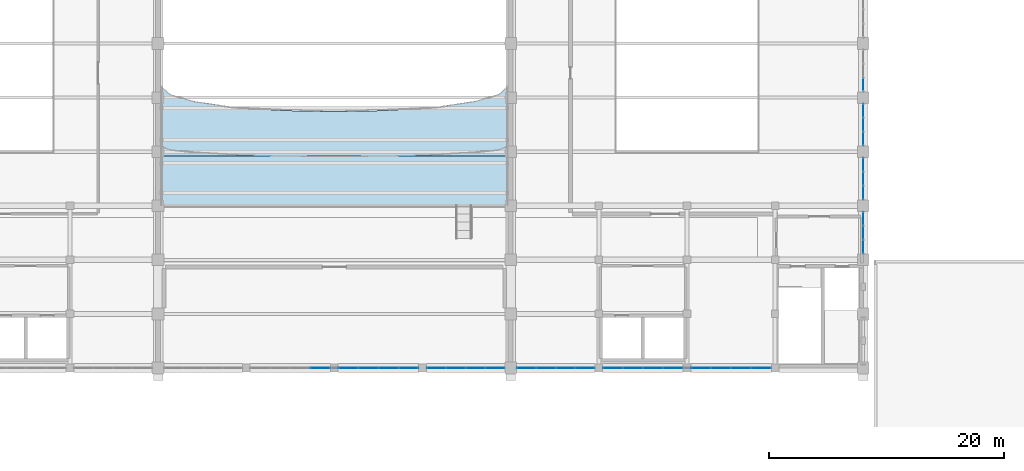
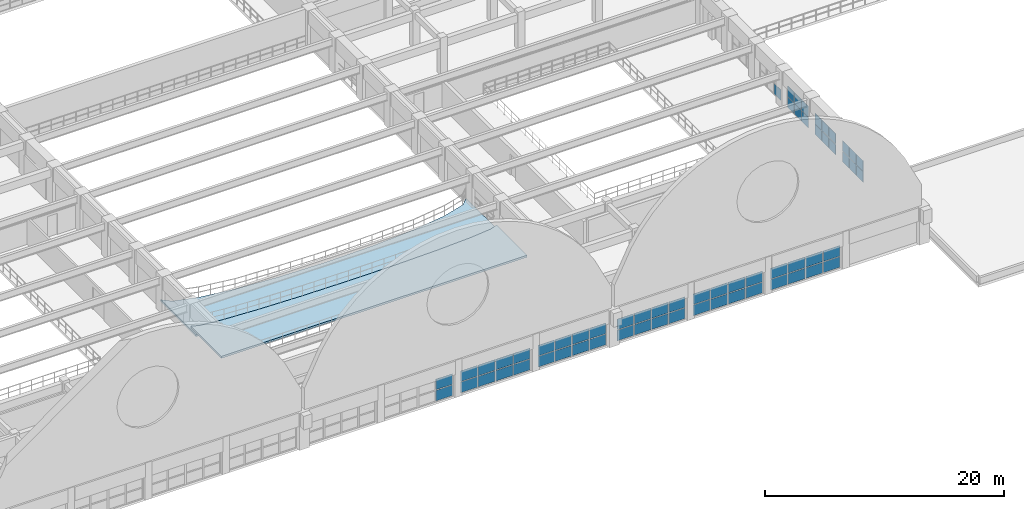
# One storey, part 43 of 74: 61 plates, 2 slabs, 10 elements without a shape of their own.
"""IFC4 building model written with IfcOpenShell, lengths in metres."""

from ifc_helpers import new_model, si_unit, direction, frame, origin, origin_2d, place, context, subcontext, project, spatial, polyline, rectangle, outline, extrude, material, layer, layer_set, type_object, element, aggregate, save


model = new_model("IFC4")

# Units and contexts
model_context = context("Model", 3, precision=1e-05, world=origin(), true_north=direction((0.0, 1.0)))
body_context = subcontext(model_context, "Body", "Model", "MODEL_VIEW")
ifc_project = project(units=[si_unit("LENGTHUNIT", "METRE"), si_unit("AREAUNIT", "SQUARE_METRE"), si_unit("VOLUMEUNIT", "CUBIC_METRE"), si_unit("PLANEANGLEUNIT", "RADIAN"), si_unit("MASSUNIT", "GRAM", prefix="KILO")], contexts=[model_context])

# Site, building, storey
site_placement = place(None, origin())
site = spatial("IfcSite", under=ifc_project, at=site_placement, CompositionType="ELEMENT")
building_placement = place(site_placement, origin())
building = spatial("IfcBuilding", under=site, at=building_placement, Name="Muzn Square Opera House", CompositionType="ELEMENT")
storey_placement = place(building_placement, frame((0.0, 0.0, 14.199951171875)))
storey = spatial("IfcBuildingStorey", under=building, at=storey_placement, Name="L03", CompositionType="ELEMENT", Elevation=14.199951171875)

# Slabs
ifc_material_1 = material(Name="Concrete C40/50", Category="concrete")
ifc_layer_1 = layer(ifc_material_1, 0.199951171875, Name="Concrete C40/50", Category="concrete")
ifc_layer_set_1 = layer_set([ifc_layer_1], Name="Concrete C40/50")
slab_type = type_object("IfcSlabType", Name="Auditorium Seating Tier 200mm", PredefinedType="USERDEFINED", material=ifc_layer_set_1)
slab_1_placement = place(storey_placement, frame((0.0, 0.0, 0.52001953125)))
element("IfcSlab", 1, at=slab_1_placement, inside=storey, type_object=slab_type, Name="Opera Hall Amphitheatre Circle Seating Tier 1", ObjectType="SEATING TIER", PredefinedType="USERDEFINED", context=body_context, shape_type="SweptSolid", body=[
    extrude(outline(polyline([(73.2099609375, 35.800048828125), (102.7900390625, 35.800048828125), (102.7900390625, 40.89990234375), (102.066162109375, 40.63720703125), (99.96533203125, 40.400390625), (96.693359375, 40.21240234375), (92.5703125, 40.091552734375), (88.0, 40.050048828125), (83.4296875, 40.091552734375), (79.306640625, 40.21240234375), (76.03466796875, 40.400390625), (73.933837890625, 40.63720703125), (73.2099609375, 40.89990234375), (73.2099609375, 35.800048828125)])), origin(), (0.0, 0.0, 1.0), 0.199951171875),
])
slab_2_placement = place(storey_placement, frame((0.0, 0.0, 0.16015625)))
element("IfcSlab", 2, at=slab_2_placement, inside=storey, type_object=slab_type, Name="Opera Hall Amphitheatre Circle Seating Tier 2", ObjectType="SEATING TIER", PredefinedType="USERDEFINED", context=body_context, shape_type="SweptSolid", body=[
    extrude(outline(polyline([(73.2099609375, 40.050048828125), (102.7900390625, 40.050048828125), (102.7900390625, 46.0), (102.066162109375, 45.3203125), (99.96533203125, 44.706787109375), (96.693359375, 44.22021484375), (92.5703125, 43.90771484375), (88.0, 43.800048828125), (83.4296875, 43.90771484375), (79.306640625, 44.22021484375), (76.03466796875, 44.706787109375), (73.933837890625, 45.3203125), (73.2099609375, 46.0), (73.2099609375, 40.050048828125)])), origin(), (0.0, 0.0, 1.0), 0.199951171875),
])

# Curtain wall, plates
ifc_material_2 = material(Name="Low-E laminated acoustic double glazing", Category="glass")
ifc_layer_2 = layer(ifc_material_2, 0.159912109375, Name="Low-E laminated acoustic double glazing", Category="glass")
ifc_layer_set_2 = layer_set([ifc_layer_2], Name="Low-E laminated acoustic double glazing")
curtain_wall_type_1 = type_object("IfcCurtainWallType", Name="Glazed Curtain Wall Forecourt 6850x2350", PredefinedType="USERDEFINED", material=ifc_layer_set_2)
curtain_wall_1_placement = place(storey_placement, origin())
curtain_wall_1 = element("IfcCurtainWall", 3, at=curtain_wall_1_placement, inside=storey, type_object=curtain_wall_type_1, Name="Glazed Curtain Wall CW-L03-023", ObjectType="GLAZED CURTAIN WALL", PredefinedType="USERDEFINED")
ifc_layer_3 = layer(ifc_material_2, 0.028076171875, Name="Low-E laminated acoustic double glazing", Category="glass")
ifc_layer_set_3 = layer_set([ifc_layer_3], Name="Low-E laminated acoustic double glazing")
plate_type = type_object("IfcPlateType", Name="Curtain Wall Acoustic Glazed Panel 28mm", PredefinedType="CURTAIN_PANEL", material=ifc_layer_set_3)
plate_1_placement = place(storey_placement, frame((86.8037109375, 22.0, 0.06005859375), z_axis=(0.0, 0.0, 1.0), x_axis=(1.0, 0.0, 0.0)))
plate_1 = element("IfcPlate", 4, at=plate_1_placement, type_object=plate_type, Name="CW-FC-68x23 panel 4.1", PredefinedType="CURTAIN_PANEL", context=body_context, shape_type="SweptSolid", body=[
    extrude(rectangle(XDim=1.62255859375, YDim=0.028076171875, at=origin_2d()), origin(), (0.0, 0.0, 1.0), 1.0849609375),
])
plate_2_placement = place(storey_placement, frame((86.8037109375, 22.0, 1.205078125), z_axis=(0.0, 0.0, 1.0), x_axis=(1.0, 0.0, 0.0)))
plate_2 = element("IfcPlate", 5, at=plate_2_placement, type_object=plate_type, Name="CW-FC-68x23 panel 4.2", PredefinedType="CURTAIN_PANEL", context=body_context, shape_type="SweptSolid", body=[
    extrude(rectangle(XDim=1.62255859375, YDim=0.028076171875, at=origin_2d()), origin(), (0.0, 0.0, 1.0), 1.0849609375),
])
aggregate(curtain_wall_1, [plate_1, plate_2])

curtain_wall_2_placement = place(storey_placement, origin())
curtain_wall_2 = element("IfcCurtainWall", 6, at=curtain_wall_2_placement, inside=storey, type_object=curtain_wall_type_1, Name="Glazed Curtain Wall CW-L03-024", ObjectType="GLAZED CURTAIN WALL", PredefinedType="USERDEFINED")
plate_3_placement = place(storey_placement, frame((89.1962890625, 22.0, 0.06005859375), z_axis=(0.0, 0.0, 1.0), x_axis=(1.0, 0.0, 0.0)))
plate_3 = element("IfcPlate", 7, at=plate_3_placement, type_object=plate_type, Name="CW-FC-68x23 panel 1.1", PredefinedType="CURTAIN_PANEL", context=body_context, shape_type="SweptSolid", body=[
    extrude(rectangle(XDim=1.62255859375, YDim=0.028076171875, at=origin_2d()), origin(), (0.0, 0.0, 1.0), 1.0849609375),
])
plate_4_placement = place(storey_placement, frame((89.1962890625, 22.0, 1.205078125), z_axis=(0.0, 0.0, 1.0), x_axis=(1.0, 0.0, 0.0)))
plate_4 = element("IfcPlate", 8, at=plate_4_placement, type_object=plate_type, Name="CW-FC-68x23 panel 1.2", PredefinedType="CURTAIN_PANEL", context=body_context, shape_type="SweptSolid", body=[
    extrude(rectangle(XDim=1.62255859375, YDim=0.028076171875, at=origin_2d()), origin(), (0.0, 0.0, 1.0), 1.0849609375),
])
plate_5_placement = place(storey_placement, frame((90.893798828125, 22.0, 0.06005859375), z_axis=(0.0, 0.0, 1.0), x_axis=(1.0, 0.0, 0.0)))
plate_5 = element("IfcPlate", 9, at=plate_5_placement, type_object=plate_type, Name="CW-FC-68x23 panel 2.1", PredefinedType="CURTAIN_PANEL", context=body_context, shape_type="SweptSolid", body=[
    extrude(rectangle(XDim=1.652587890625, YDim=0.028076171875, at=origin_2d()), origin(), (0.0, 0.0, 1.0), 1.0849609375),
])
plate_6_placement = place(storey_placement, frame((90.893798828125, 22.0, 1.205078125), z_axis=(0.0, 0.0, 1.0), x_axis=(1.0, 0.0, 0.0)))
plate_6 = element("IfcPlate", 10, at=plate_6_placement, type_object=plate_type, Name="CW-FC-68x23 panel 2.2", PredefinedType="CURTAIN_PANEL", context=body_context, shape_type="SweptSolid", body=[
    extrude(rectangle(XDim=1.652587890625, YDim=0.028076171875, at=origin_2d()), origin(), (0.0, 0.0, 1.0), 1.0849609375),
])
plate_7_placement = place(storey_placement, frame((92.606201171875, 22.0, 0.06005859375), z_axis=(0.0, 0.0, 1.0), x_axis=(1.0, 0.0, 0.0)))
plate_7 = element("IfcPlate", 11, at=plate_7_placement, type_object=plate_type, Name="CW-FC-68x23 panel 3.1", PredefinedType="CURTAIN_PANEL", context=body_context, shape_type="SweptSolid", body=[
    extrude(rectangle(XDim=1.652587890625, YDim=0.028076171875, at=origin_2d()), origin(), (0.0, 0.0, 1.0), 1.0849609375),
])
plate_8_placement = place(storey_placement, frame((92.606201171875, 22.0, 1.205078125), z_axis=(0.0, 0.0, 1.0), x_axis=(1.0, 0.0, 0.0)))
plate_8 = element("IfcPlate", 12, at=plate_8_placement, type_object=plate_type, Name="CW-FC-68x23 panel 3.2", PredefinedType="CURTAIN_PANEL", context=body_context, shape_type="SweptSolid", body=[
    extrude(rectangle(XDim=1.652587890625, YDim=0.028076171875, at=origin_2d()), origin(), (0.0, 0.0, 1.0), 1.0849609375),
])
plate_9_placement = place(storey_placement, frame((94.3037109375, 22.0, 0.06005859375), z_axis=(0.0, 0.0, 1.0), x_axis=(1.0, 0.0, 0.0)))
plate_9 = element("IfcPlate", 13, at=plate_9_placement, type_object=plate_type, Name="CW-FC-68x23 panel 4.1", PredefinedType="CURTAIN_PANEL", context=body_context, shape_type="SweptSolid", body=[
    extrude(rectangle(XDim=1.62255859375, YDim=0.028076171875, at=origin_2d()), origin(), (0.0, 0.0, 1.0), 1.0849609375),
])
plate_10_placement = place(storey_placement, frame((94.3037109375, 22.0, 1.205078125), z_axis=(0.0, 0.0, 1.0), x_axis=(1.0, 0.0, 0.0)))
plate_10 = element("IfcPlate", 14, at=plate_10_placement, type_object=plate_type, Name="CW-FC-68x23 panel 4.2", PredefinedType="CURTAIN_PANEL", context=body_context, shape_type="SweptSolid", body=[
    extrude(rectangle(XDim=1.62255859375, YDim=0.028076171875, at=origin_2d()), origin(), (0.0, 0.0, 1.0), 1.0849609375),
])
aggregate(curtain_wall_2, [plate_3, plate_4, plate_5, plate_6, plate_7, plate_8, plate_9, plate_10])

ifc_layer_4 = layer(ifc_material_2, 0.159912109375, Name="Low-E laminated acoustic double glazing", Category="glass")
ifc_layer_set_4 = layer_set([ifc_layer_4], Name="Low-E laminated acoustic double glazing")
curtain_wall_type_2 = type_object("IfcCurtainWallType", Name="Glazed Curtain Wall Forecourt 6675x2350", PredefinedType="USERDEFINED", material=ifc_layer_set_4)
curtain_wall_3_placement = place(storey_placement, origin())
curtain_wall_3 = element("IfcCurtainWall", 15, at=curtain_wall_3_placement, inside=storey, type_object=curtain_wall_type_2, Name="Glazed Curtain Wall CW-L03-025", ObjectType="GLAZED CURTAIN WALL", PredefinedType="USERDEFINED")
plate_11_placement = place(storey_placement, frame((96.67431640625, 22.0, 0.06005859375), z_axis=(0.0, 0.0, 1.0), x_axis=(1.0, 0.0, 0.0)))
plate_11 = element("IfcPlate", 16, at=plate_11_placement, type_object=plate_type, Name="CW-FC-66x23 panel 1.1", PredefinedType="CURTAIN_PANEL", context=body_context, shape_type="SweptSolid", body=[
    extrude(rectangle(XDim=1.578857421875, YDim=0.028076171875, at=origin_2d()), origin(), (0.0, 0.0, 1.0), 1.0849609375),
])
plate_12_placement = place(storey_placement, frame((96.67431640625, 22.0, 1.205078125), z_axis=(0.0, 0.0, 1.0), x_axis=(1.0, 0.0, 0.0)))
plate_12 = element("IfcPlate", 17, at=plate_12_placement, type_object=plate_type, Name="CW-FC-66x23 panel 1.2", PredefinedType="CURTAIN_PANEL", context=body_context, shape_type="SweptSolid", body=[
    extrude(rectangle(XDim=1.578857421875, YDim=0.028076171875, at=origin_2d()), origin(), (0.0, 0.0, 1.0), 1.0849609375),
])
plate_13_placement = place(storey_placement, frame((98.328125, 22.0, 0.06005859375), z_axis=(0.0, 0.0, 1.0), x_axis=(1.0, 0.0, 0.0)))
plate_13 = element("IfcPlate", 18, at=plate_13_placement, type_object=plate_type, Name="CW-FC-66x23 panel 2.1", PredefinedType="CURTAIN_PANEL", context=body_context, shape_type="SweptSolid", body=[
    extrude(rectangle(XDim=1.608642578125, YDim=0.028076171875, at=origin_2d()), origin(), (0.0, 0.0, 1.0), 1.0849609375),
])
plate_14_placement = place(storey_placement, frame((98.328125, 22.0, 1.205078125), z_axis=(0.0, 0.0, 1.0), x_axis=(1.0, 0.0, 0.0)))
plate_14 = element("IfcPlate", 19, at=plate_14_placement, type_object=plate_type, Name="CW-FC-66x23 panel 2.2", PredefinedType="CURTAIN_PANEL", context=body_context, shape_type="SweptSolid", body=[
    extrude(rectangle(XDim=1.608642578125, YDim=0.028076171875, at=origin_2d()), origin(), (0.0, 0.0, 1.0), 1.0849609375),
])
plate_15_placement = place(storey_placement, frame((99.996826171875, 22.0, 0.06005859375), z_axis=(0.0, 0.0, 1.0), x_axis=(1.0, 0.0, 0.0)))
plate_15 = element("IfcPlate", 20, at=plate_15_placement, type_object=plate_type, Name="CW-FC-66x23 panel 3.1", PredefinedType="CURTAIN_PANEL", context=body_context, shape_type="SweptSolid", body=[
    extrude(rectangle(XDim=1.608642578125, YDim=0.028076171875, at=origin_2d()), origin(), (0.0, 0.0, 1.0), 1.0849609375),
])
plate_16_placement = place(storey_placement, frame((99.996826171875, 22.0, 1.205078125), z_axis=(0.0, 0.0, 1.0), x_axis=(1.0, 0.0, 0.0)))
plate_16 = element("IfcPlate", 21, at=plate_16_placement, type_object=plate_type, Name="CW-FC-66x23 panel 3.2", PredefinedType="CURTAIN_PANEL", context=body_context, shape_type="SweptSolid", body=[
    extrude(rectangle(XDim=1.608642578125, YDim=0.028076171875, at=origin_2d()), origin(), (0.0, 0.0, 1.0), 1.0849609375),
])
plate_17_placement = place(storey_placement, frame((101.650634765625, 22.0, 0.06005859375), z_axis=(0.0, 0.0, 1.0), x_axis=(1.0, 0.0, 0.0)))
plate_17 = element("IfcPlate", 22, at=plate_17_placement, type_object=plate_type, Name="CW-FC-66x23 panel 4.1", PredefinedType="CURTAIN_PANEL", context=body_context, shape_type="SweptSolid", body=[
    extrude(rectangle(XDim=1.578857421875, YDim=0.028076171875, at=origin_2d()), origin(), (0.0, 0.0, 1.0), 1.0849609375),
])
plate_18_placement = place(storey_placement, frame((101.650634765625, 22.0, 1.205078125), z_axis=(0.0, 0.0, 1.0), x_axis=(1.0, 0.0, 0.0)))
plate_18 = element("IfcPlate", 23, at=plate_18_placement, type_object=plate_type, Name="CW-FC-66x23 panel 4.2", PredefinedType="CURTAIN_PANEL", context=body_context, shape_type="SweptSolid", body=[
    extrude(rectangle(XDim=1.578857421875, YDim=0.028076171875, at=origin_2d()), origin(), (0.0, 0.0, 1.0), 1.0849609375),
])
aggregate(curtain_wall_3, [plate_11, plate_12, plate_13, plate_14, plate_15, plate_16, plate_17, plate_18])

curtain_wall_4_placement = place(storey_placement, origin())
curtain_wall_4 = element("IfcCurtainWall", 24, at=curtain_wall_4_placement, inside=storey, type_object=curtain_wall_type_2, Name="Glazed Curtain Wall CW-L03-026", ObjectType="GLAZED CURTAIN WALL", PredefinedType="USERDEFINED")
plate_19_placement = place(storey_placement, frame((104.349365234375, 22.0, 0.06005859375), z_axis=(0.0, 0.0, 1.0), x_axis=(1.0, 0.0, 0.0)))
plate_19 = element("IfcPlate", 25, at=plate_19_placement, type_object=plate_type, Name="CW-FC-66x23 panel 1.1", PredefinedType="CURTAIN_PANEL", context=body_context, shape_type="SweptSolid", body=[
    extrude(rectangle(XDim=1.578857421875, YDim=0.028076171875, at=origin_2d()), origin(), (0.0, 0.0, 1.0), 1.0849609375),
])
plate_20_placement = place(storey_placement, frame((104.349365234375, 22.0, 1.205078125), z_axis=(0.0, 0.0, 1.0), x_axis=(1.0, 0.0, 0.0)))
plate_20 = element("IfcPlate", 26, at=plate_20_placement, type_object=plate_type, Name="CW-FC-66x23 panel 1.2", PredefinedType="CURTAIN_PANEL", context=body_context, shape_type="SweptSolid", body=[
    extrude(rectangle(XDim=1.578857421875, YDim=0.028076171875, at=origin_2d()), origin(), (0.0, 0.0, 1.0), 1.0849609375),
])
plate_21_placement = place(storey_placement, frame((106.003173828125, 22.0, 0.06005859375), z_axis=(0.0, 0.0, 1.0), x_axis=(1.0, 0.0, 0.0)))
plate_21 = element("IfcPlate", 27, at=plate_21_placement, type_object=plate_type, Name="CW-FC-66x23 panel 2.1", PredefinedType="CURTAIN_PANEL", context=body_context, shape_type="SweptSolid", body=[
    extrude(rectangle(XDim=1.608642578125, YDim=0.028076171875, at=origin_2d()), origin(), (0.0, 0.0, 1.0), 1.0849609375),
])
plate_22_placement = place(storey_placement, frame((106.003173828125, 22.0, 1.205078125), z_axis=(0.0, 0.0, 1.0), x_axis=(1.0, 0.0, 0.0)))
plate_22 = element("IfcPlate", 28, at=plate_22_placement, type_object=plate_type, Name="CW-FC-66x23 panel 2.2", PredefinedType="CURTAIN_PANEL", context=body_context, shape_type="SweptSolid", body=[
    extrude(rectangle(XDim=1.608642578125, YDim=0.028076171875, at=origin_2d()), origin(), (0.0, 0.0, 1.0), 1.0849609375),
])
plate_23_placement = place(storey_placement, frame((107.671875, 22.0, 0.06005859375), z_axis=(0.0, 0.0, 1.0), x_axis=(1.0, 0.0, 0.0)))
plate_23 = element("IfcPlate", 29, at=plate_23_placement, type_object=plate_type, Name="CW-FC-66x23 panel 3.1", PredefinedType="CURTAIN_PANEL", context=body_context, shape_type="SweptSolid", body=[
    extrude(rectangle(XDim=1.608642578125, YDim=0.028076171875, at=origin_2d()), origin(), (0.0, 0.0, 1.0), 1.0849609375),
])
plate_24_placement = place(storey_placement, frame((107.671875, 22.0, 1.205078125), z_axis=(0.0, 0.0, 1.0), x_axis=(1.0, 0.0, 0.0)))
plate_24 = element("IfcPlate", 30, at=plate_24_placement, type_object=plate_type, Name="CW-FC-66x23 panel 3.2", PredefinedType="CURTAIN_PANEL", context=body_context, shape_type="SweptSolid", body=[
    extrude(rectangle(XDim=1.608642578125, YDim=0.028076171875, at=origin_2d()), origin(), (0.0, 0.0, 1.0), 1.0849609375),
])
plate_25_placement = place(storey_placement, frame((109.32568359375, 22.0, 0.06005859375), z_axis=(0.0, 0.0, 1.0), x_axis=(1.0, 0.0, 0.0)))
plate_25 = element("IfcPlate", 31, at=plate_25_placement, type_object=plate_type, Name="CW-FC-66x23 panel 4.1", PredefinedType="CURTAIN_PANEL", context=body_context, shape_type="SweptSolid", body=[
    extrude(rectangle(XDim=1.578857421875, YDim=0.028076171875, at=origin_2d()), origin(), (0.0, 0.0, 1.0), 1.0849609375),
])
plate_26_placement = place(storey_placement, frame((109.32568359375, 22.0, 1.205078125), z_axis=(0.0, 0.0, 1.0), x_axis=(1.0, 0.0, 0.0)))
plate_26 = element("IfcPlate", 32, at=plate_26_placement, type_object=plate_type, Name="CW-FC-66x23 panel 4.2", PredefinedType="CURTAIN_PANEL", context=body_context, shape_type="SweptSolid", body=[
    extrude(rectangle(XDim=1.578857421875, YDim=0.028076171875, at=origin_2d()), origin(), (0.0, 0.0, 1.0), 1.0849609375),
])
aggregate(curtain_wall_4, [plate_19, plate_20, plate_21, plate_22, plate_23, plate_24, plate_25, plate_26])

curtain_wall_5_placement = place(storey_placement, origin())
curtain_wall_5 = element("IfcCurtainWall", 33, at=curtain_wall_5_placement, inside=storey, type_object=curtain_wall_type_1, Name="Glazed Curtain Wall CW-L03-027", ObjectType="GLAZED CURTAIN WALL", PredefinedType="USERDEFINED")
plate_27_placement = place(storey_placement, frame((111.6962890625, 22.0, 0.06005859375), z_axis=(0.0, 0.0, 1.0), x_axis=(1.0, 0.0, 0.0)))
plate_27 = element("IfcPlate", 34, at=plate_27_placement, type_object=plate_type, Name="CW-FC-68x23 panel 1.1", PredefinedType="CURTAIN_PANEL", context=body_context, shape_type="SweptSolid", body=[
    extrude(rectangle(XDim=1.62255859375, YDim=0.028076171875, at=origin_2d()), origin(), (0.0, 0.0, 1.0), 1.0849609375),
])
plate_28_placement = place(storey_placement, frame((111.6962890625, 22.0, 1.205078125), z_axis=(0.0, 0.0, 1.0), x_axis=(1.0, 0.0, 0.0)))
plate_28 = element("IfcPlate", 35, at=plate_28_placement, type_object=plate_type, Name="CW-FC-68x23 panel 1.2", PredefinedType="CURTAIN_PANEL", context=body_context, shape_type="SweptSolid", body=[
    extrude(rectangle(XDim=1.62255859375, YDim=0.028076171875, at=origin_2d()), origin(), (0.0, 0.0, 1.0), 1.0849609375),
])
plate_29_placement = place(storey_placement, frame((113.393798828125, 22.0, 0.06005859375), z_axis=(0.0, 0.0, 1.0), x_axis=(1.0, 0.0, 0.0)))
plate_29 = element("IfcPlate", 36, at=plate_29_placement, type_object=plate_type, Name="CW-FC-68x23 panel 2.1", PredefinedType="CURTAIN_PANEL", context=body_context, shape_type="SweptSolid", body=[
    extrude(rectangle(XDim=1.652587890625, YDim=0.028076171875, at=origin_2d()), origin(), (0.0, 0.0, 1.0), 1.0849609375),
])
plate_30_placement = place(storey_placement, frame((113.393798828125, 22.0, 1.205078125), z_axis=(0.0, 0.0, 1.0), x_axis=(1.0, 0.0, 0.0)))
plate_30 = element("IfcPlate", 37, at=plate_30_placement, type_object=plate_type, Name="CW-FC-68x23 panel 2.2", PredefinedType="CURTAIN_PANEL", context=body_context, shape_type="SweptSolid", body=[
    extrude(rectangle(XDim=1.652587890625, YDim=0.028076171875, at=origin_2d()), origin(), (0.0, 0.0, 1.0), 1.0849609375),
])
plate_31_placement = place(storey_placement, frame((115.106201171875, 22.0, 0.06005859375), z_axis=(0.0, 0.0, 1.0), x_axis=(1.0, 0.0, 0.0)))
plate_31 = element("IfcPlate", 38, at=plate_31_placement, type_object=plate_type, Name="CW-FC-68x23 panel 3.1", PredefinedType="CURTAIN_PANEL", context=body_context, shape_type="SweptSolid", body=[
    extrude(rectangle(XDim=1.652587890625, YDim=0.028076171875, at=origin_2d()), origin(), (0.0, 0.0, 1.0), 1.0849609375),
])
plate_32_placement = place(storey_placement, frame((115.106201171875, 22.0, 1.205078125), z_axis=(0.0, 0.0, 1.0), x_axis=(1.0, 0.0, 0.0)))
plate_32 = element("IfcPlate", 39, at=plate_32_placement, type_object=plate_type, Name="CW-FC-68x23 panel 3.2", PredefinedType="CURTAIN_PANEL", context=body_context, shape_type="SweptSolid", body=[
    extrude(rectangle(XDim=1.652587890625, YDim=0.028076171875, at=origin_2d()), origin(), (0.0, 0.0, 1.0), 1.0849609375),
])
plate_33_placement = place(storey_placement, frame((116.8037109375, 22.0, 0.06005859375), z_axis=(0.0, 0.0, 1.0), x_axis=(1.0, 0.0, 0.0)))
plate_33 = element("IfcPlate", 40, at=plate_33_placement, type_object=plate_type, Name="CW-FC-68x23 panel 4.1", PredefinedType="CURTAIN_PANEL", context=body_context, shape_type="SweptSolid", body=[
    extrude(rectangle(XDim=1.62255859375, YDim=0.028076171875, at=origin_2d()), origin(), (0.0, 0.0, 1.0), 1.0849609375),
])
plate_34_placement = place(storey_placement, frame((116.8037109375, 22.0, 1.205078125), z_axis=(0.0, 0.0, 1.0), x_axis=(1.0, 0.0, 0.0)))
plate_34 = element("IfcPlate", 41, at=plate_34_placement, type_object=plate_type, Name="CW-FC-68x23 panel 4.2", PredefinedType="CURTAIN_PANEL", context=body_context, shape_type="SweptSolid", body=[
    extrude(rectangle(XDim=1.62255859375, YDim=0.028076171875, at=origin_2d()), origin(), (0.0, 0.0, 1.0), 1.0849609375),
])
aggregate(curtain_wall_5, [plate_27, plate_28, plate_29, plate_30, plate_31, plate_32, plate_33, plate_34])

curtain_wall_6_placement = place(storey_placement, origin())
curtain_wall_6 = element("IfcCurtainWall", 42, at=curtain_wall_6_placement, inside=storey, type_object=curtain_wall_type_1, Name="Glazed Curtain Wall CW-L03-028", ObjectType="GLAZED CURTAIN WALL", PredefinedType="USERDEFINED")
plate_35_placement = place(storey_placement, frame((119.1962890625, 22.0, 0.06005859375), z_axis=(0.0, 0.0, 1.0), x_axis=(1.0, 0.0, 0.0)))
plate_35 = element("IfcPlate", 43, at=plate_35_placement, type_object=plate_type, Name="CW-FC-68x23 panel 1.1", PredefinedType="CURTAIN_PANEL", context=body_context, shape_type="SweptSolid", body=[
    extrude(rectangle(XDim=1.62255859375, YDim=0.028076171875, at=origin_2d()), origin(), (0.0, 0.0, 1.0), 1.0849609375),
])
plate_36_placement = place(storey_placement, frame((119.1962890625, 22.0, 1.205078125), z_axis=(0.0, 0.0, 1.0), x_axis=(1.0, 0.0, 0.0)))
plate_36 = element("IfcPlate", 44, at=plate_36_placement, type_object=plate_type, Name="CW-FC-68x23 panel 1.2", PredefinedType="CURTAIN_PANEL", context=body_context, shape_type="SweptSolid", body=[
    extrude(rectangle(XDim=1.62255859375, YDim=0.028076171875, at=origin_2d()), origin(), (0.0, 0.0, 1.0), 1.0849609375),
])
plate_37_placement = place(storey_placement, frame((120.893798828125, 22.0, 0.06005859375), z_axis=(0.0, 0.0, 1.0), x_axis=(1.0, 0.0, 0.0)))
plate_37 = element("IfcPlate", 45, at=plate_37_placement, type_object=plate_type, Name="CW-FC-68x23 panel 2.1", PredefinedType="CURTAIN_PANEL", context=body_context, shape_type="SweptSolid", body=[
    extrude(rectangle(XDim=1.652587890625, YDim=0.028076171875, at=origin_2d()), origin(), (0.0, 0.0, 1.0), 1.0849609375),
])
plate_38_placement = place(storey_placement, frame((120.893798828125, 22.0, 1.205078125), z_axis=(0.0, 0.0, 1.0), x_axis=(1.0, 0.0, 0.0)))
plate_38 = element("IfcPlate", 46, at=plate_38_placement, type_object=plate_type, Name="CW-FC-68x23 panel 2.2", PredefinedType="CURTAIN_PANEL", context=body_context, shape_type="SweptSolid", body=[
    extrude(rectangle(XDim=1.652587890625, YDim=0.028076171875, at=origin_2d()), origin(), (0.0, 0.0, 1.0), 1.0849609375),
])
plate_39_placement = place(storey_placement, frame((122.606201171875, 22.0, 0.06005859375), z_axis=(0.0, 0.0, 1.0), x_axis=(1.0, 0.0, 0.0)))
plate_39 = element("IfcPlate", 47, at=plate_39_placement, type_object=plate_type, Name="CW-FC-68x23 panel 3.1", PredefinedType="CURTAIN_PANEL", context=body_context, shape_type="SweptSolid", body=[
    extrude(rectangle(XDim=1.652587890625, YDim=0.028076171875, at=origin_2d()), origin(), (0.0, 0.0, 1.0), 1.0849609375),
])
plate_40_placement = place(storey_placement, frame((122.606201171875, 22.0, 1.205078125), z_axis=(0.0, 0.0, 1.0), x_axis=(1.0, 0.0, 0.0)))
plate_40 = element("IfcPlate", 48, at=plate_40_placement, type_object=plate_type, Name="CW-FC-68x23 panel 3.2", PredefinedType="CURTAIN_PANEL", context=body_context, shape_type="SweptSolid", body=[
    extrude(rectangle(XDim=1.652587890625, YDim=0.028076171875, at=origin_2d()), origin(), (0.0, 0.0, 1.0), 1.0849609375),
])
plate_41_placement = place(storey_placement, frame((124.3037109375, 22.0, 0.06005859375), z_axis=(0.0, 0.0, 1.0), x_axis=(1.0, 0.0, 0.0)))
plate_41 = element("IfcPlate", 49, at=plate_41_placement, type_object=plate_type, Name="CW-FC-68x23 panel 4.1", PredefinedType="CURTAIN_PANEL", context=body_context, shape_type="SweptSolid", body=[
    extrude(rectangle(XDim=1.62255859375, YDim=0.028076171875, at=origin_2d()), origin(), (0.0, 0.0, 1.0), 1.0849609375),
])
plate_42_placement = place(storey_placement, frame((124.3037109375, 22.0, 1.205078125), z_axis=(0.0, 0.0, 1.0), x_axis=(1.0, 0.0, 0.0)))
plate_42 = element("IfcPlate", 50, at=plate_42_placement, type_object=plate_type, Name="CW-FC-68x23 panel 4.2", PredefinedType="CURTAIN_PANEL", context=body_context, shape_type="SweptSolid", body=[
    extrude(rectangle(XDim=1.62255859375, YDim=0.028076171875, at=origin_2d()), origin(), (0.0, 0.0, 1.0), 1.0849609375),
])
aggregate(curtain_wall_6, [plate_35, plate_36, plate_37, plate_38, plate_39, plate_40, plate_41, plate_42])

ifc_layer_5 = layer(ifc_material_2, 0.159912109375, Name="Low-E laminated acoustic double glazing", Category="glass")
ifc_layer_set_5 = layer_set([ifc_layer_5], Name="Low-E laminated acoustic double glazing")
curtain_wall_type_3 = type_object("IfcCurtainWallType", Name="Glazed Curtain Wall EastVaultCourt 3600x2300", PredefinedType="USERDEFINED", material=ifc_layer_set_5)
curtain_wall_7_placement = place(storey_placement, origin())
curtain_wall_7 = element("IfcCurtainWall", 51, at=curtain_wall_7_placement, inside=storey, type_object=curtain_wall_type_3, Name="Glazed Curtain Wall CW-L03-060", ObjectType="GLAZED CURTAIN WALL", PredefinedType="USERDEFINED")
plate_43_placement = place(storey_placement, frame((133.0, 32.31494140625, 0.06005859375), z_axis=(0.0, 0.0, 1.0), x_axis=(0.0, 1.0, 0.0)))
plate_43 = element("IfcPlate", 52, at=plate_43_placement, type_object=plate_type, Name="CW-EVC-36x23 panel 1.1", PredefinedType="CURTAIN_PANEL", context=body_context, shape_type="SweptSolid", body=[
    extrude(rectangle(XDim=1.110107421875, YDim=0.028076171875, at=origin_2d()), origin(), (0.0, 0.0, 1.0), 1.06005859375),
])
plate_44_placement = place(storey_placement, frame((133.0, 32.31494140625, 1.179931640625), z_axis=(0.0, 0.0, 1.0), x_axis=(0.0, 1.0, 0.0)))
plate_44 = element("IfcPlate", 53, at=plate_44_placement, type_object=plate_type, Name="CW-EVC-36x23 panel 1.2", PredefinedType="CURTAIN_PANEL", context=body_context, shape_type="SweptSolid", body=[
    extrude(rectangle(XDim=1.110107421875, YDim=0.028076171875, at=origin_2d()), origin(), (0.0, 0.0, 1.0), 1.06005859375),
])
plate_45_placement = place(storey_placement, frame((133.0, 33.5, 0.06005859375), z_axis=(0.0, 0.0, 1.0), x_axis=(0.0, 1.0, 0.0)))
plate_45 = element("IfcPlate", 54, at=plate_45_placement, type_object=plate_type, Name="CW-EVC-36x23 panel 2.1", PredefinedType="CURTAIN_PANEL", context=body_context, shape_type="SweptSolid", body=[
    extrude(rectangle(XDim=1.139892578125, YDim=0.028076171875, at=origin_2d()), origin(), (0.0, 0.0, 1.0), 1.06005859375),
])
plate_46_placement = place(storey_placement, frame((133.0, 33.5, 1.179931640625), z_axis=(0.0, 0.0, 1.0), x_axis=(0.0, 1.0, 0.0)))
plate_46 = element("IfcPlate", 55, at=plate_46_placement, type_object=plate_type, Name="CW-EVC-36x23 panel 2.2", PredefinedType="CURTAIN_PANEL", context=body_context, shape_type="SweptSolid", body=[
    extrude(rectangle(XDim=1.139892578125, YDim=0.028076171875, at=origin_2d()), origin(), (0.0, 0.0, 1.0), 1.06005859375),
])
plate_47_placement = place(storey_placement, frame((133.0, 34.68505859375, 0.06005859375), z_axis=(0.0, 0.0, 1.0), x_axis=(0.0, 1.0, 0.0)))
plate_47 = element("IfcPlate", 56, at=plate_47_placement, type_object=plate_type, Name="CW-EVC-36x23 panel 3.1", PredefinedType="CURTAIN_PANEL", context=body_context, shape_type="SweptSolid", body=[
    extrude(rectangle(XDim=1.110107421875, YDim=0.028076171875, at=origin_2d()), origin(), (0.0, 0.0, 1.0), 1.06005859375),
])
plate_48_placement = place(storey_placement, frame((133.0, 34.68505859375, 1.179931640625), z_axis=(0.0, 0.0, 1.0), x_axis=(0.0, 1.0, 0.0)))
plate_48 = element("IfcPlate", 57, at=plate_48_placement, type_object=plate_type, Name="CW-EVC-36x23 panel 3.2", PredefinedType="CURTAIN_PANEL", context=body_context, shape_type="SweptSolid", body=[
    extrude(rectangle(XDim=1.110107421875, YDim=0.028076171875, at=origin_2d()), origin(), (0.0, 0.0, 1.0), 1.06005859375),
])
aggregate(curtain_wall_7, [plate_43, plate_44, plate_45, plate_46, plate_47, plate_48])

curtain_wall_8_placement = place(storey_placement, origin())
curtain_wall_8 = element("IfcCurtainWall", 58, at=curtain_wall_8_placement, inside=storey, type_object=curtain_wall_type_3, Name="Glazed Curtain Wall CW-L03-062", ObjectType="GLAZED CURTAIN WALL", PredefinedType="USERDEFINED")
plate_49_placement = place(storey_placement, frame((133.0, 36.9150390625, 0.06005859375), z_axis=(0.0, 0.0, 1.0), x_axis=(0.0, 1.0, 0.0)))
plate_49 = element("IfcPlate", 59, at=plate_49_placement, type_object=plate_type, Name="CW-EVC-36x23 panel 1.1", PredefinedType="CURTAIN_PANEL", context=body_context, shape_type="SweptSolid", body=[
    extrude(rectangle(XDim=1.110107421875, YDim=0.028076171875, at=origin_2d()), origin(), (0.0, 0.0, 1.0), 1.06005859375),
])
plate_50_placement = place(storey_placement, frame((133.0, 36.9150390625, 1.179931640625), z_axis=(0.0, 0.0, 1.0), x_axis=(0.0, 1.0, 0.0)))
plate_50 = element("IfcPlate", 60, at=plate_50_placement, type_object=plate_type, Name="CW-EVC-36x23 panel 1.2", PredefinedType="CURTAIN_PANEL", context=body_context, shape_type="SweptSolid", body=[
    extrude(rectangle(XDim=1.110107421875, YDim=0.028076171875, at=origin_2d()), origin(), (0.0, 0.0, 1.0), 1.06005859375),
])
plate_51_placement = place(storey_placement, frame((133.0, 38.10009765625, 0.06005859375), z_axis=(0.0, 0.0, 1.0), x_axis=(0.0, 1.0, 0.0)))
plate_51 = element("IfcPlate", 61, at=plate_51_placement, type_object=plate_type, Name="CW-EVC-36x23 panel 2.1", PredefinedType="CURTAIN_PANEL", context=body_context, shape_type="SweptSolid", body=[
    extrude(rectangle(XDim=1.139892578125, YDim=0.028076171875, at=origin_2d()), origin(), (0.0, 0.0, 1.0), 1.06005859375),
])
plate_52_placement = place(storey_placement, frame((133.0, 38.10009765625, 1.179931640625), z_axis=(0.0, 0.0, 1.0), x_axis=(0.0, 1.0, 0.0)))
plate_52 = element("IfcPlate", 62, at=plate_52_placement, type_object=plate_type, Name="CW-EVC-36x23 panel 2.2", PredefinedType="CURTAIN_PANEL", context=body_context, shape_type="SweptSolid", body=[
    extrude(rectangle(XDim=1.139892578125, YDim=0.028076171875, at=origin_2d()), origin(), (0.0, 0.0, 1.0), 1.06005859375),
])
plate_53_placement = place(storey_placement, frame((133.0, 39.284912109375, 0.06005859375), z_axis=(0.0, 0.0, 1.0), x_axis=(0.0, 1.0, 0.0)))
plate_53 = element("IfcPlate", 63, at=plate_53_placement, type_object=plate_type, Name="CW-EVC-36x23 panel 3.1", PredefinedType="CURTAIN_PANEL", context=body_context, shape_type="SweptSolid", body=[
    extrude(rectangle(XDim=1.110107421875, YDim=0.028076171875, at=origin_2d()), origin(), (0.0, 0.0, 1.0), 1.06005859375),
])
plate_54_placement = place(storey_placement, frame((133.0, 39.284912109375, 1.179931640625), z_axis=(0.0, 0.0, 1.0), x_axis=(0.0, 1.0, 0.0)))
plate_54 = element("IfcPlate", 64, at=plate_54_placement, type_object=plate_type, Name="CW-EVC-36x23 panel 3.2", PredefinedType="CURTAIN_PANEL", context=body_context, shape_type="SweptSolid", body=[
    extrude(rectangle(XDim=1.110107421875, YDim=0.028076171875, at=origin_2d()), origin(), (0.0, 0.0, 1.0), 1.06005859375),
])
aggregate(curtain_wall_8, [plate_49, plate_50, plate_51, plate_52, plate_53, plate_54])

curtain_wall_9_placement = place(storey_placement, origin())
curtain_wall_9 = element("IfcCurtainWall", 65, at=curtain_wall_9_placement, inside=storey, type_object=curtain_wall_type_3, Name="Glazed Curtain Wall CW-L03-064", ObjectType="GLAZED CURTAIN WALL", PredefinedType="USERDEFINED")
plate_55_placement = place(storey_placement, frame((133.0, 41.514892578125, 0.06005859375), z_axis=(0.0, 0.0, 1.0), x_axis=(0.0, 1.0, 0.0)))
plate_55 = element("IfcPlate", 66, at=plate_55_placement, type_object=plate_type, Name="CW-EVC-36x23 panel 1.1", PredefinedType="CURTAIN_PANEL", context=body_context, shape_type="SweptSolid", body=[
    extrude(rectangle(XDim=1.110107421875, YDim=0.028076171875, at=origin_2d()), origin(), (0.0, 0.0, 1.0), 1.06005859375),
])
plate_56_placement = place(storey_placement, frame((133.0, 41.514892578125, 1.179931640625), z_axis=(0.0, 0.0, 1.0), x_axis=(0.0, 1.0, 0.0)))
plate_56 = element("IfcPlate", 67, at=plate_56_placement, type_object=plate_type, Name="CW-EVC-36x23 panel 1.2", PredefinedType="CURTAIN_PANEL", context=body_context, shape_type="SweptSolid", body=[
    extrude(rectangle(XDim=1.110107421875, YDim=0.028076171875, at=origin_2d()), origin(), (0.0, 0.0, 1.0), 1.06005859375),
])
plate_57_placement = place(storey_placement, frame((133.0, 42.699951171875, 0.06005859375), z_axis=(0.0, 0.0, 1.0), x_axis=(0.0, 1.0, 0.0)))
plate_57 = element("IfcPlate", 68, at=plate_57_placement, type_object=plate_type, Name="CW-EVC-36x23 panel 2.1", PredefinedType="CURTAIN_PANEL", context=body_context, shape_type="SweptSolid", body=[
    extrude(rectangle(XDim=1.139892578125, YDim=0.028076171875, at=origin_2d()), origin(), (0.0, 0.0, 1.0), 1.06005859375),
])
plate_58_placement = place(storey_placement, frame((133.0, 42.699951171875, 1.179931640625), z_axis=(0.0, 0.0, 1.0), x_axis=(0.0, 1.0, 0.0)))
plate_58 = element("IfcPlate", 69, at=plate_58_placement, type_object=plate_type, Name="CW-EVC-36x23 panel 2.2", PredefinedType="CURTAIN_PANEL", context=body_context, shape_type="SweptSolid", body=[
    extrude(rectangle(XDim=1.139892578125, YDim=0.028076171875, at=origin_2d()), origin(), (0.0, 0.0, 1.0), 1.06005859375),
])
plate_59_placement = place(storey_placement, frame((133.0, 43.885009765625, 0.06005859375), z_axis=(0.0, 0.0, 1.0), x_axis=(0.0, 1.0, 0.0)))
plate_59 = element("IfcPlate", 70, at=plate_59_placement, type_object=plate_type, Name="CW-EVC-36x23 panel 3.1", PredefinedType="CURTAIN_PANEL", context=body_context, shape_type="SweptSolid", body=[
    extrude(rectangle(XDim=1.110107421875, YDim=0.028076171875, at=origin_2d()), origin(), (0.0, 0.0, 1.0), 1.06005859375),
])
plate_60_placement = place(storey_placement, frame((133.0, 43.885009765625, 1.179931640625), z_axis=(0.0, 0.0, 1.0), x_axis=(0.0, 1.0, 0.0)))
plate_60 = element("IfcPlate", 71, at=plate_60_placement, type_object=plate_type, Name="CW-EVC-36x23 panel 3.2", PredefinedType="CURTAIN_PANEL", context=body_context, shape_type="SweptSolid", body=[
    extrude(rectangle(XDim=1.110107421875, YDim=0.028076171875, at=origin_2d()), origin(), (0.0, 0.0, 1.0), 1.06005859375),
])
aggregate(curtain_wall_9, [plate_55, plate_56, plate_57, plate_58, plate_59, plate_60])

# Curtain wall, plate
curtain_wall_10_placement = place(storey_placement, origin())
curtain_wall_10 = element("IfcCurtainWall", 72, at=curtain_wall_10_placement, inside=storey, type_object=curtain_wall_type_3, Name="Glazed Curtain Wall CW-L03-066", ObjectType="GLAZED CURTAIN WALL", PredefinedType="USERDEFINED")
plate_61_placement = place(storey_placement, frame((133.0, 46.114990234375, 0.06005859375), z_axis=(0.0, 0.0, 1.0), x_axis=(0.0, 1.0, 0.0)))
plate_61 = element("IfcPlate", 73, at=plate_61_placement, type_object=plate_type, Name="CW-EVC-36x23 panel 1.1", PredefinedType="CURTAIN_PANEL", context=body_context, shape_type="SweptSolid", body=[
    extrude(rectangle(XDim=1.110107421875, YDim=0.028076171875, at=origin_2d()), origin(), (0.0, 0.0, 1.0), 1.06005859375),
])
aggregate(curtain_wall_10, [plate_61])

save(model, "model.ifc")
